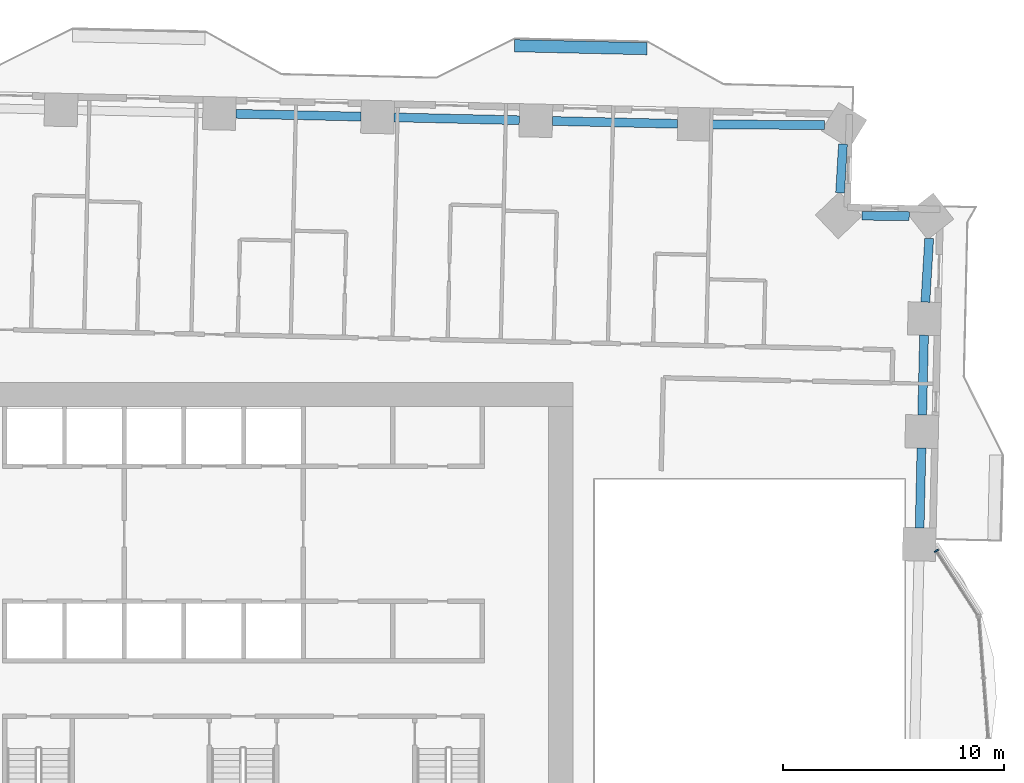
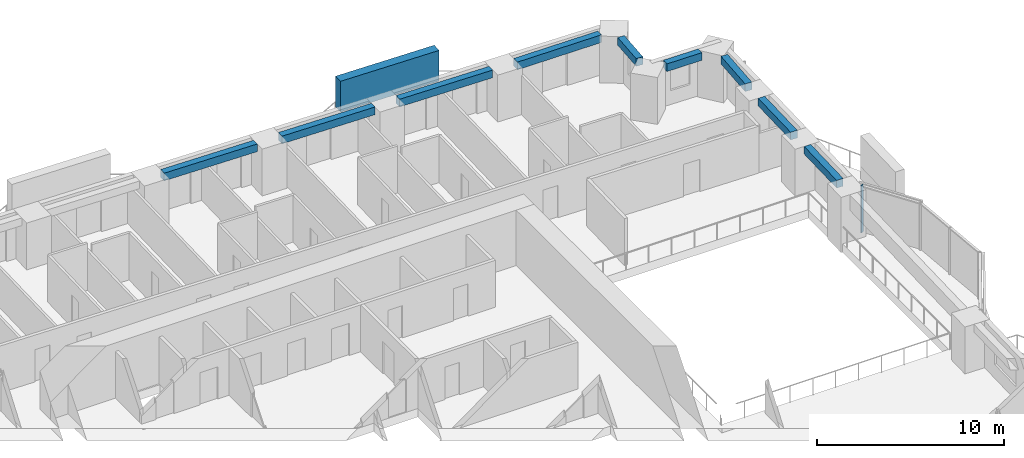
# One storey, part 4 of 19: 9 beams, 2 members, 1 element without a shape of its own.
"""IFC4 building model written with IfcOpenShell, lengths in metres."""

from ifc_helpers import new_model, si_unit, direction, frame, origin, origin_2d, place, context, subcontext, project, spatial, rectangle, extrude, material, material_profile, profile_set, type_object, element, aggregate, save


model = new_model("IFC4")

# Units and contexts
model_context = context("Model", 3, precision=1e-05, world=origin(), true_north=direction((0.0, 1.0)))
body_context = subcontext(model_context, "Body", "Model", "MODEL_VIEW")
ifc_project = project(units=[si_unit("LENGTHUNIT", "METRE"), si_unit("AREAUNIT", "SQUARE_METRE"), si_unit("VOLUMEUNIT", "CUBIC_METRE"), si_unit("PLANEANGLEUNIT", "RADIAN"), si_unit("MASSUNIT", "GRAM", prefix="KILO")], contexts=[model_context])

# Site, building, storey
site_placement = place(None, origin())
site = spatial("IfcSite", under=ifc_project, at=site_placement, CompositionType="ELEMENT")
building_placement = place(site_placement, origin())
building = spatial("IfcBuilding", under=site, at=building_placement, Name="Mangrove Gate Tower", CompositionType="ELEMENT")
storey_placement = place(building_placement, frame((0.0, 0.0, 63.89990234375)))
storey = spatial("IfcBuildingStorey", under=building, at=storey_placement, Name="L15", CompositionType="ELEMENT", Elevation=63.89990234375)

# Curtain wall, member
ifc_material_1 = material(Name="Aluminium and glass curtain wall", Category="aluminium")
curtain_wall_type = type_object("IfcCurtainWallType", Name="Atrium garden-court glazing wall", PredefinedType="NOTDEFINED", material=ifc_material_1)
curtain_wall_placement = place(storey_placement, origin())
curtain_wall = element("IfcCurtainWall", 1, at=curtain_wall_placement, inside=storey, type_object=curtain_wall_type, Name="Atrium garden-court glazing E1f3", PredefinedType="NOTDEFINED")
ifc_material_2 = material(Name="Aluminium alloy 6063-T6", Category="aluminium")
ifc_material_profile_1 = material_profile(ifc_material_2, rectangle(XDim=0.070068359375, YDim=0.199951171875, at=origin_2d()))
ifc_profile_set_1 = profile_set([ifc_material_profile_1], Name="Aluminium alloy 6063-T6")
member_type_1 = type_object("IfcMemberType", Name="Atrium garden-court glazing mullion 70x200", PredefinedType="MULLION", material=ifc_profile_set_1)
member_1_placement = place(storey_placement, frame((31.33935546875, 4.2783203125, 0.0), z_axis=(0.0, 0.0, 1.0), x_axis=(-0.540524576597, 0.841328224948, 0.0)))
member_1 = element("IfcMember", 2, at=member_1_placement, type_object=member_type_1, Name="CWA mullion 2", PredefinedType="MULLION", context=body_context, shape_type="SweptSolid", body=[
    extrude(rectangle(XDim=0.070068359375, YDim=0.199951171875, at=origin_2d()), origin(), (0.0, 0.0, 1.0), 3.050048828125),
])
aggregate(curtain_wall, [member_1])

# Member
ifc_material_3 = material(Name="Planting on aluminium trellis", Category="aluminium")
ifc_material_profile_2 = material_profile(ifc_material_3, rectangle(XDim=0.550048828125, YDim=2.0, at=origin_2d()))
ifc_profile_set_2 = profile_set([ifc_material_profile_2], Name="Planting on aluminium trellis")
member_type_2 = type_object("IfcMemberType", Name="Balcony greenery screen 550x2000", PredefinedType="USERDEFINED", material=ifc_profile_set_2)
member_2_placement = place(storey_placement, frame((12.256103515625, 27.131103515625, 1.800048828125), z_axis=(0.999743073592, -0.022666865795, 0.0), x_axis=(0.022666865795, 0.999743073592, 0.0)))
element("IfcMember", 3, at=member_2_placement, inside=storey, type_object=member_type_2, Name="GREEN SCREEN L15 N0.1", ObjectType="PLANTING", PredefinedType="USERDEFINED", context=body_context, shape_type="SweptSolid", body=[
    extrude(rectangle(XDim=0.550048828125, YDim=2.0, at=origin_2d()), origin(), (0.0, 0.0, 1.0), 5.999267578125),
])

# Beams
ifc_material_4 = material(Name="Concrete C50/60", Category="concrete")
ifc_material_profile_3 = material_profile(ifc_material_4, rectangle(XDim=0.39990234375, YDim=0.5, at=origin_2d()))
ifc_profile_set_3 = profile_set([ifc_material_profile_3], Name="Concrete C50/60")
beam_type = type_object("IfcBeamType", Name="Edge beam RC 400x500 C50/60", PredefinedType="BEAM", material=ifc_profile_set_3)
for number, where, z_axis, x_axis, name in (
    (4, (30.583251953125, 5.31982421875, 2.800048828125), (0.022733700787, 0.999741556028, 0.0), (-0.999741556028, 0.022733700787, 0.0), "Edge beam L15 17"),
    (5, (30.69921875, 10.4267578125, 2.800048828125), (0.022733700787, 0.999741556028, 0.0), (-0.999741556028, 0.022733700787, 0.0), "Edge beam L15 18"),
):
    element("IfcBeam", number, at=place(storey_placement, frame(where, z_axis=z_axis, x_axis=x_axis)), inside=storey, type_object=beam_type, Name=name, PredefinedType="BEAM", context=body_context, shape_type="SweptSolid", body=[
        extrude(rectangle(XDim=0.39990234375, YDim=0.5, at=origin_2d()), origin(), (0.0, 0.0, 1.0), 3.6083984375),
    ])
beam_1_placement = place(storey_placement, frame((30.8427734375, 15.533203125, 2.800048828125), z_axis=(0.059561358545, 0.998224646344, 0.0), x_axis=(-0.998224646344, 0.059561358545, 0.0)))
element("IfcBeam", 6, at=beam_1_placement, inside=storey, type_object=beam_type, Name="Edge beam L15 19", PredefinedType="BEAM", context=body_context, shape_type="SweptSolid", body=[
    extrude(rectangle(XDim=0.39990234375, YDim=0.5, at=origin_2d()), origin(), (0.0, 0.0, 1.0), 2.881591796875),
])
beam_2_placement = place(storey_placement, frame((30.113037109375, 19.41943359375, 2.800048828125), z_axis=(-0.999952010692, 0.009796750162, 0.0), x_axis=(-0.009796750162, -0.999952010692, 0.0)))
element("IfcBeam", 7, at=beam_2_placement, inside=storey, type_object=beam_type, Name="Edge beam L15 20", PredefinedType="BEAM", context=body_context, shape_type="SweptSolid", body=[
    extrude(rectangle(XDim=0.39990234375, YDim=0.5, at=origin_2d()), origin(), (0.0, 0.0, 1.0), 2.14306640625),
])
beam_3_placement = place(storey_placement, frame((26.983642578125, 20.47265625, 2.800048828125), z_axis=(0.059518193814, 0.99822722093, 0.0), x_axis=(-0.99822722093, 0.059518193814, 0.0)))
element("IfcBeam", 8, at=beam_3_placement, inside=storey, type_object=beam_type, Name="Edge beam L15 21", PredefinedType="BEAM", context=body_context, shape_type="SweptSolid", body=[
    extrude(rectangle(XDim=0.39990234375, YDim=0.5, at=origin_2d()), origin(), (0.0, 0.0, 1.0), 2.2109375),
])
beam_4_placement = place(storey_placement, frame((26.288818359375, 23.536376953125, 2.800048828125), z_axis=(-0.999972365874, 0.007434210694, 0.0), x_axis=(-0.007434210694, -0.999972365874, 0.0)))
element("IfcBeam", 9, at=beam_4_placement, inside=storey, type_object=beam_type, Name="Edge beam L15 22", PredefinedType="BEAM", context=body_context, shape_type="SweptSolid", body=[
    extrude(rectangle(XDim=0.39990234375, YDim=0.5, at=origin_2d()), origin(), (0.0, 0.0, 1.0), 5.156005859375),
])
beam_5_placement = place(storey_placement, frame((19.633056640625, 23.59716796875, 2.800048828125), z_axis=(-0.99974076585, 0.022768423239, 0.0), x_axis=(-0.022768423239, -0.99974076585, 0.0)))
element("IfcBeam", 10, at=beam_5_placement, inside=storey, type_object=beam_type, Name="Edge beam L15 23", PredefinedType="BEAM", context=body_context, shape_type="SweptSolid", body=[
    extrude(rectangle(XDim=0.39990234375, YDim=0.5, at=origin_2d()), origin(), (0.0, 0.0, 1.0), 5.66162109375),
])
beam_6_placement = place(storey_placement, frame((12.47314453125, 23.76025390625, 2.800048828125), z_axis=(-0.999744787315, 0.022591153933, 0.0), x_axis=(-0.022591153933, -0.999744787315, 0.0)))
element("IfcBeam", 11, at=beam_6_placement, inside=storey, type_object=beam_type, Name="Edge beam L15 24", PredefinedType="BEAM", context=body_context, shape_type="SweptSolid", body=[
    extrude(rectangle(XDim=0.39990234375, YDim=0.5, at=origin_2d()), origin(), (0.0, 0.0, 1.0), 5.662841796875),
])
beam_7_placement = place(storey_placement, frame((5.312255859375, 23.92236328125, 2.800048828125), z_axis=(-0.999741768757, 0.022724343849, 0.0), x_axis=(-0.022724343849, -0.999741768757, 0.0)))
element("IfcBeam", 12, at=beam_7_placement, inside=storey, type_object=beam_type, Name="Edge beam L15 25", PredefinedType="BEAM", context=body_context, shape_type="SweptSolid", body=[
    extrude(rectangle(XDim=0.39990234375, YDim=0.5, at=origin_2d()), origin(), (0.0, 0.0, 1.0), 5.661865234375),
])

save(model, "model.ifc")
